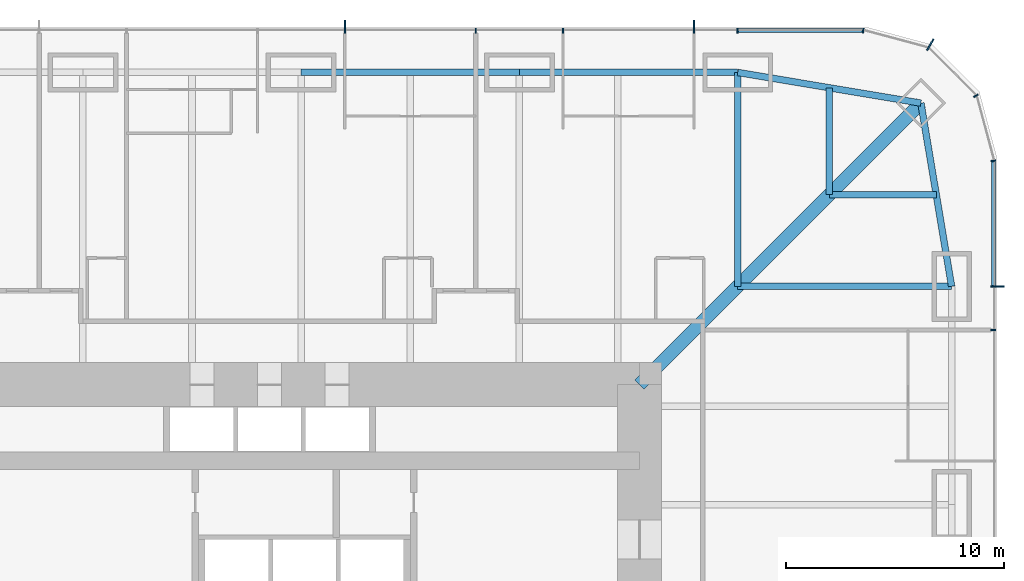
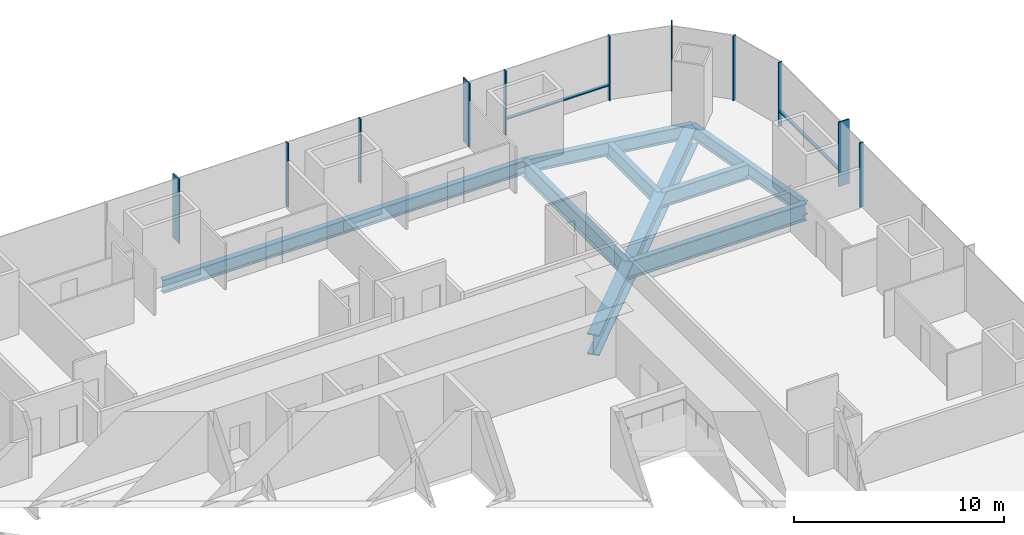
# One storey, part 9 of 17: 13 members, 9 beams, 3 elements without a shape of their own.
"""IFC4 building model written with IfcOpenShell, lengths in metres."""

import ifcopenshell
import ifcopenshell.guid

model = None  # the IFC model being written
_history = None  # IfcOwnerHistory: only IFC2X3 demands one
_inside = {}  # id of a spatial element -> (the spatial element, [elements in it])
_under = {}  # id of a project, library or spatial element -> (it, [spatial elements below it])
_declared = {}  # id of a project -> (the project, [libraries it declares])
_typed = {}  # id of a type object -> (the type object, [elements of that type])
_made_of = {}  # id of a material, layer set ... -> (it, [elements and type objects made of it])


def new_model(schema):
    """Start an empty IFC model of exactly this schema.

    Asked for "IFC4X3", IfcOpenShell would pick the latest addendum, in which some entities
    have other attributes; the version numbers below select the first issue.
    IFC2X3 requires an IfcOwnerHistory on every rooted entity: one is made here for all.
    """
    global model, _history
    if schema == "IFC4X3":
        model = ifcopenshell.file(schema_version=(4, 3, 0, 0))
    else:
        model = ifcopenshell.file(schema=schema)
    _inside.clear()
    _under.clear()
    _declared.clear()
    _typed.clear()
    _made_of.clear()
    _history = None
    if model.schema == "IFC2X3":
        org = make("IfcOrganization", Name="unknown")
        user = make(
            "IfcPersonAndOrganization",
            ThePerson=make("IfcPerson", FamilyName="unknown"),
            TheOrganization=org,
        )
        app = make(
            "IfcApplication",
            ApplicationDeveloper=org,
            Version="unknown",
            ApplicationFullName="unknown",
            ApplicationIdentifier="unknown",
        )
        _history = make(
            "IfcOwnerHistory",
            OwningUser=user,
            OwningApplication=app,
            ChangeAction="ADDED",
            CreationDate=0,
        )
    return model


def make(cls, **values):
    """One entity of the class cls with the attributes given. An attribute that is None is left unset."""
    return model.create_entity(
        cls, **{name: value for name, value in values.items() if value is not None}
    )


def rooted(cls, **values):
    """An entity with a GlobalId (a new one), such as an element, a storey or a relation."""
    return make(cls, GlobalId=ifcopenshell.guid.new(), OwnerHistory=_history, **values)


def si_unit(unit_type, name, prefix=None):
    """IfcSIUnit, for example si_unit("LENGTHUNIT", "METRE", prefix="MILLI")."""
    return make("IfcSIUnit", UnitType=unit_type, Prefix=prefix, Name=name)


def assignment(units):
    """IfcUnitAssignment: the units of a project."""
    return None if units is None else make("IfcUnitAssignment", Units=units)


def point(xyz):
    """IfcCartesianPoint."""
    return None if xyz is None else make("IfcCartesianPoint", Coordinates=xyz)


def direction(xyz):
    """IfcDirection."""
    return None if xyz is None else make("IfcDirection", DirectionRatios=xyz)


def frame(location, z_axis=None, x_axis=None):
    """IfcAxis2Placement3D, a coordinate frame: its origin and axes. An axis left out is left unset."""
    return make(
        "IfcAxis2Placement3D",
        Location=point(location),
        Axis=direction(z_axis),
        RefDirection=direction(x_axis),
    )


def frame_2d(location, x_axis=None):
    """IfcAxis2Placement2D, a coordinate frame in the plane: its origin and x axis."""
    return make(
        "IfcAxis2Placement2D", Location=point(location), RefDirection=direction(x_axis)
    )


def origin():
    """The frame at (0, 0, 0) with its axes left unset."""
    return frame((0.0, 0.0, 0.0))


def origin_2d():
    """The frame at (0, 0) in the plane with its x axis left unset."""
    return frame_2d((0.0, 0.0))


def place(relative_to, where):
    """IfcLocalPlacement: puts the frame where relative to a parent placement (None: the world)."""
    return make(
        "IfcLocalPlacement", PlacementRelTo=relative_to, RelativePlacement=where
    )


def context(
    kind, dimensions, precision=None, world=None, true_north=None, identifier=None
):
    """IfcGeometricRepresentationContext, for example the 3D "Model" context."""
    return make(
        "IfcGeometricRepresentationContext",
        ContextIdentifier=identifier,
        ContextType=kind,
        CoordinateSpaceDimension=dimensions,
        Precision=precision,
        WorldCoordinateSystem=world,
        TrueNorth=true_north,
    )


def subcontext(parent, identifier, kind, view, scale=None):
    """IfcGeometricRepresentationSubContext, for example "Body" below "Model"."""
    return make(
        "IfcGeometricRepresentationSubContext",
        ContextIdentifier=identifier,
        ContextType=kind,
        ParentContext=parent,
        TargetScale=scale,
        TargetView=view,
    )


def project(units=None, contexts=None):
    """IfcProject with its units and contexts."""
    return rooted(
        "IfcProject",
        Name="project",
        RepresentationContexts=contexts,
        UnitsInContext=assignment(units),
    )


def spatial(cls, under=None, at=None, **own):
    """A site, building, storey or space (cls), placed at a placement, below another one or the project."""
    s = rooted(cls, ObjectPlacement=at, **own)
    if under is not None:
        _under.setdefault(under.id(), (under, []))[1].append(s)
    return s


def profile(cls, at=None, kind="AREA", **sizes):
    """A parametric profile (cls). Its sizes go by their IFC names, for example OverallWidth=200.0."""
    return make(cls, ProfileType=kind, Position=at, **sizes)


def rectangle(**sizes):
    """IfcRectangleProfileDef."""
    return profile("IfcRectangleProfileDef", **sizes)


def i_section(**sizes):
    """IfcIShapeProfileDef."""
    return profile("IfcIShapeProfileDef", **sizes)


def extrude(swept, where, along, depth):
    """IfcExtrudedAreaSolid: the profile swept, set in the frame where, extruded along a direction by depth."""
    return make(
        "IfcExtrudedAreaSolid",
        SweptArea=swept,
        Position=where,
        ExtrudedDirection=direction(along),
        Depth=depth,
    )


def shape(context_of_items, identifier, shape_type, items):
    """IfcShapeRepresentation: the items that make up one representation, for example the "Body"."""
    return make(
        "IfcShapeRepresentation",
        ContextOfItems=context_of_items,
        RepresentationIdentifier=identifier,
        RepresentationType=shape_type,
        Items=items,
    )


def material(Name=None, Category=None):
    """IfcMaterial."""
    return make("IfcMaterial", Name=Name, Category=Category)


def material_profile(
    of_material, cross_section, Name=None, Category=None, Priority=None
):
    """IfcMaterialProfile: a cross section and its material."""
    return make(
        "IfcMaterialProfile",
        Name=Name,
        Material=of_material,
        Profile=cross_section,
        Priority=Priority,
        Category=Category,
    )


def profile_set(profiles, Name=None, composite=None):
    """IfcMaterialProfileSet."""
    return make(
        "IfcMaterialProfileSet",
        Name=Name,
        MaterialProfiles=profiles,
        CompositeProfile=composite,
    )


def made_of(thing, what):
    """Note that an element or type object is made of a material, layer set ...; save() writes the relation."""
    if what is not None:
        _made_of.setdefault(what.id(), (what, []))[1].append(thing)
    return thing


def type_object(cls, material=None, **own):
    """A type object (cls), such as IfcWallType, which elements share."""
    return made_of(rooted(cls, **own), material)


def element(
    cls,
    number,
    at=None,
    inside=None,
    cuts=None,
    type_object=None,
    material=None,
    context=None,
    identifier="Body",
    shape_type=None,
    held_by="IfcProductDefinitionShape",
    body=None,
    shapes=None,
    **own,
):
    """One element of the class cls, such as IfcWall. Its Tag is "e" and its number.

    at: its placement. inside: the storey or other place that contains it. cuts: it is an
    opening in that element (IfcRelVoidsElement). A single representation is given by context,
    identifier, shape_type and body (its items); several are given by shapes. held_by: the class
    of the entity that holds the representations. save() writes the other relations.
    """
    e = rooted(cls, Tag="e%d" % number, ObjectPlacement=at, **own)
    if body is not None:
        shapes = [shape(context, identifier, shape_type, body)]
    if shapes is not None:
        e.Representation = make(held_by, Representations=shapes)
    if inside is not None:
        _inside.setdefault(inside.id(), (inside, []))[1].append(e)
    if cuts is not None:
        rooted(
            "IfcRelVoidsElement", RelatingBuildingElement=cuts, RelatedOpeningElement=e
        )
    if type_object is not None:
        _typed.setdefault(type_object.id(), (type_object, []))[1].append(e)
    return made_of(e, material)


def aggregate(whole, parts):
    """IfcRelAggregates: a whole, such as a stair, and the parts it consists of."""
    return rooted("IfcRelAggregates", RelatingObject=whole, RelatedObjects=parts)


def save(model, path):
    """Write the relations noted so far, then the file.

    IfcRelAggregates (storeys below a building ...), IfcRelContainedInSpatialStructure (elements
    in a storey), IfcRelDefinesByType, IfcRelAssociatesMaterial and IfcRelDeclares: one each for
    every whole, place, type object, material and project.
    """
    for whole, parts in _under.values():
        aggregate(whole, parts)
    for where, things in _inside.values():
        rooted(
            "IfcRelContainedInSpatialStructure",
            RelatedElements=things,
            RelatingStructure=where,
        )
    for kind, things in _typed.values():
        rooted("IfcRelDefinesByType", RelatedObjects=things, RelatingType=kind)
    for what, things in _made_of.values():
        rooted("IfcRelAssociatesMaterial", RelatedObjects=things, RelatingMaterial=what)
    for by, libraries in _declared.values():
        rooted("IfcRelDeclares", RelatingContext=by, RelatedDefinitions=libraries)
    model.write(path)


model = new_model("IFC4")

# Units and contexts
model_context = context("Model", 3, precision=1e-05, world=origin(), true_north=direction((0.0, 1.0)))
body_context = subcontext(model_context, "Body", "Model", "MODEL_VIEW")
ifc_project = project(units=[si_unit("LENGTHUNIT", "METRE"), si_unit("AREAUNIT", "SQUARE_METRE"), si_unit("VOLUMEUNIT", "CUBIC_METRE"), si_unit("PLANEANGLEUNIT", "RADIAN"), si_unit("MASSUNIT", "GRAM", prefix="KILO")], contexts=[model_context])

# Site, building, storey
site_placement = place(None, origin())
site = spatial("IfcSite", under=ifc_project, at=site_placement, CompositionType="ELEMENT")
building_placement = place(site_placement, origin())
building = spatial("IfcBuilding", under=site, at=building_placement, Name="Khuree Lantern Residences", CompositionType="ELEMENT")
storey_placement = place(building_placement, frame((0.0, 0.0, 36.0)))
storey = spatial("IfcBuildingStorey", under=building, at=storey_placement, Name="L08", CompositionType="ELEMENT", Elevation=36.0)

# Beams
ifc_material_1 = material(Name="Steel S355", Category="steel")
ifc_material_profile_1 = material_profile(ifc_material_1, i_section(OverallWidth=0.300048828125, OverallDepth=0.889892578125, WebThickness=0.01611328125, FlangeThickness=0.030029296875, FilletRadius=0.030029296875, at=origin_2d()), Name="HE 900 A")
ifc_profile_set_1 = profile_set([ifc_material_profile_1], Name="Steel S355")
beam_type_1 = type_object("IfcBeamType", Name="B-12 SECONDARY BEAM HE 900 A", PredefinedType="BEAM", material=ifc_profile_set_1)
for number, where, z_axis, x_axis, name in (
    (1, (24.197021484375, 29.09716796875, -0.695068359375), (0.0, -1.0, 0.0), (1.0, 0.0, 0.0), "Secondary beam N5"),
    (2, (29.09716796875, 24.197021484375, -0.695068359375), (-1.0, 0.0, 0.0), (0.0, -1.0, 0.0), "Secondary beam E1"),
):
    element("IfcBeam", number, at=place(storey_placement, frame(where, z_axis=z_axis, x_axis=x_axis)), inside=storey, type_object=beam_type_1, Name=name, PredefinedType="BEAM", context=body_context, shape_type="SweptSolid", body=[
        extrude(i_section(OverallWidth=0.300048828125, OverallDepth=0.889892578125, WebThickness=0.01611328125, FlangeThickness=0.030029296875, FilletRadius=0.030029296875, at=origin_2d()), origin(), (0.0, 0.0, 1.0), 4.900146484375),
    ])
ifc_material_profile_2 = material_profile(ifc_material_1, i_section(OverallWidth=0.300048828125, OverallDepth=0.7900390625, WebThickness=0.014892578125, FlangeThickness=0.028076171875, FilletRadius=0.030029296875, at=origin_2d()), Name="HE 800 A")
ifc_profile_set_2 = profile_set([ifc_material_profile_2], Name="Steel S355")
beam_type_2 = type_object("IfcBeamType", Name="E-12 SPANDREL BEAM HE 800 A", PredefinedType="SPANDREL", material=ifc_profile_set_2)
for number, where, z_axis, x_axis, name in (
    (3, (0.0, 29.800048828125, -0.64501953125), (1.0, 0.0, 0.0), (0.0, 1.0, 0.0), "Spandrel beam N3"),
    (4, (10.0, 29.800048828125, -0.64501953125), (1.0, 0.0, 0.0), (0.0, 1.0, 0.0), "Spandrel beam N4"),
):
    element("IfcBeam", number, at=place(storey_placement, frame(where, z_axis=z_axis, x_axis=x_axis)), inside=storey, type_object=beam_type_2, Name=name, PredefinedType="SPANDREL", context=body_context, shape_type="SweptSolid", body=[
        extrude(i_section(OverallWidth=0.300048828125, OverallDepth=0.7900390625, WebThickness=0.014892578125, FlangeThickness=0.028076171875, FilletRadius=0.030029296875, at=origin_2d()), origin(), (0.0, 0.0, 1.0), 10.0),
    ])
for number, where, z_axis, x_axis, name in (
    (5, (20.0, 29.800048828125, -0.64501953125), (0.986260251158, -0.165199022349, 0.0), (0.165199022349, 0.986260251158, 0.0), "Spandrel beam N5"),
    (6, (28.39404296875, 28.39404296875, -0.64501953125), (0.165199022349, -0.986260251158, 0.0), (0.986260251158, 0.165199022349, 0.0), "Spandrel beam E1"),
):
    element("IfcBeam", number, at=place(storey_placement, frame(where, z_axis=z_axis, x_axis=x_axis)), inside=storey, type_object=beam_type_2, Name=name, PredefinedType="SPANDREL", context=body_context, shape_type="SweptSolid", body=[
        extrude(i_section(OverallWidth=0.300048828125, OverallDepth=0.7900390625, WebThickness=0.014892578125, FlangeThickness=0.028076171875, FilletRadius=0.030029296875, at=origin_2d()), origin(), (0.0, 0.0, 1.0), 8.510986328125),
    ])

# Curtain wall, member
ifc_material_2 = material(Name="Bronze anodised aluminium", Category="aluminium")
curtain_wall_type_1 = type_object("IfcCurtainWallType", Name="CW-T1 TOWER FACE CURTAIN WALL", PredefinedType="USERDEFINED", material=ifc_material_2)
curtain_wall_1_placement = place(storey_placement, origin())
curtain_wall_1 = element("IfcCurtainWall", 7, at=curtain_wall_1_placement, inside=storey, type_object=curtain_wall_type_1, Name="L08 EAST FACE CURTAIN WALL", ObjectType="Stick-built curtain wall", PredefinedType="USERDEFINED")
ifc_material_profile_3 = material_profile(ifc_material_2, rectangle(XDim=0.06494140625, YDim=0.60009765625, at=origin_2d()), Name="F1 65X600")
ifc_profile_set_3 = profile_set([ifc_material_profile_3], Name="Bronze anodised aluminium")
member_type_1 = type_object("IfcMemberType", Name="F1 BRONZE FIN MULLION TOWER 65X600", PredefinedType="MULLION", material=ifc_profile_set_3)
member_1_placement = place(storey_placement, frame((31.89990234375, 20.0, 0.0), z_axis=(0.0, 0.0, 1.0), x_axis=(0.0, 1.0, 0.0)))
member_1 = element("IfcMember", 8, at=member_1_placement, type_object=member_type_1, Name="L08 EAST FACE FIN MULLION 14", PredefinedType="MULLION", context=body_context, shape_type="SweptSolid", body=[
    extrude(rectangle(XDim=0.06494140625, YDim=0.60009765625, at=origin_2d()), origin(), (0.0, 0.0, 1.0), 3.75),
])

curtain_wall_type_2 = type_object("IfcCurtainWallType", Name="CW-T2 TOWER CORNER CURTAIN WALL", PredefinedType="USERDEFINED", material=ifc_material_2)
curtain_wall_2_placement = place(storey_placement, origin())
curtain_wall_2 = element("IfcCurtainWall", 9, at=curtain_wall_2_placement, inside=storey, type_object=curtain_wall_type_2, Name="L08 NORTH-EAST CORNER CURTAIN WALL", ObjectType="Faceted corner curtain wall", PredefinedType="USERDEFINED")
member_2_placement = place(storey_placement, frame((28.824951171875, 31.076171875, 0.0), z_axis=(0.0, 0.0, 1.0), x_axis=(-0.86602537092, 0.500000056923, 0.0)))
member_2 = element("IfcMember", 10, at=member_2_placement, type_object=member_type_1, Name="L08 NORTH-EAST CORNER FIN MULLION 17", PredefinedType="MULLION", context=body_context, shape_type="SweptSolid", body=[
    extrude(rectangle(XDim=0.06494140625, YDim=0.60009765625, at=origin_2d()), origin(), (0.0, 0.0, 1.0), 3.75),
])

# Curtain wall, members
curtain_wall_3_placement = place(storey_placement, origin())
curtain_wall_3 = element("IfcCurtainWall", 11, at=curtain_wall_3_placement, inside=storey, type_object=curtain_wall_type_1, Name="L08 NORTH FACE CURTAIN WALL", ObjectType="Stick-built curtain wall", PredefinedType="USERDEFINED")
member_3_placement = place(storey_placement, frame((18.0, 31.89990234375, 0.0), z_axis=(0.0, 0.0, 1.0), x_axis=(-1.0, 0.0, 0.0)))
member_3 = element("IfcMember", 12, at=member_3_placement, type_object=member_type_1, Name="L08 NORTH FACE FIN MULLION 20", PredefinedType="MULLION", context=body_context, shape_type="SweptSolid", body=[
    extrude(rectangle(XDim=0.06494140625, YDim=0.60009765625, at=origin_2d()), origin(), (0.0, 0.0, 1.0), 3.75),
])
member_4_placement = place(storey_placement, frame((2.0, 31.89990234375, 0.0), z_axis=(0.0, 0.0, 1.0), x_axis=(-1.0, 0.0, 0.0)))
member_4 = element("IfcMember", 13, at=member_4_placement, type_object=member_type_1, Name="L08 NORTH FACE FIN MULLION 23", PredefinedType="MULLION", context=body_context, shape_type="SweptSolid", body=[
    extrude(rectangle(XDim=0.06494140625, YDim=0.60009765625, at=origin_2d()), origin(), (0.0, 0.0, 1.0), 3.75),
])

# Beams
ifc_material_profile_4 = material_profile(ifc_material_1, i_section(OverallWidth=0.302001953125, OverallDepth=1.008056640625, WebThickness=0.02099609375, FlangeThickness=0.0400390625, FilletRadius=0.030029296875, at=origin_2d()), Name="HE 1000 M")
ifc_profile_set_4 = profile_set([ifc_material_profile_4], Name="Steel S355")
beam_type_3 = type_object("IfcBeamType", Name="G-12 GIRDER HE 1000 M", PredefinedType="BEAM", material=ifc_profile_set_4)
for number, where, z_axis, x_axis, name in (
    (14, (20.0, 29.800048828125, -0.75390625), (0.0, -1.0, 0.0), (1.0, 0.0, 0.0), "Girder N5"),
    (15, (29.800048828125, 20.0, -0.75390625), (-1.0, 0.0, 0.0), (0.0, -1.0, 0.0), "Girder E1"),
):
    element("IfcBeam", number, at=place(storey_placement, frame(where, z_axis=z_axis, x_axis=x_axis)), inside=storey, type_object=beam_type_3, Name=name, PredefinedType="BEAM", context=body_context, shape_type="SweptSolid", body=[
        extrude(i_section(OverallWidth=0.302001953125, OverallDepth=1.008056640625, WebThickness=0.02099609375, FlangeThickness=0.0400390625, FilletRadius=0.030029296875, at=origin_2d()), origin(), (0.0, 0.0, 1.0), 9.800048828125),
    ])
ifc_material_profile_5 = material_profile(ifc_material_1, i_section(OverallWidth=0.60009765625, OverallDepth=1.199951171875, WebThickness=0.030029296875, FlangeThickness=0.06005859375, at=origin_2d()), Name="WELDED I 1200X600X30X60")
ifc_profile_set_5 = profile_set([ifc_material_profile_5], Name="Steel S355")
beam_type_4 = type_object("IfcBeamType", Name="GD-12 CORNER GIRDER WELDED I 1200X600X30X60", PredefinedType="BEAM", material=ifc_profile_set_5)
beam_placement = place(storey_placement, frame((28.39404296875, 28.39404296875, -0.85009765625), z_axis=(-0.707106781187, -0.707106781187, 0.0), x_axis=(0.707106781187, -0.707106781187, 0.0)))
element("IfcBeam", 16, at=beam_placement, inside=storey, type_object=beam_type_4, Name="Corner girder NE", PredefinedType="BEAM", context=body_context, shape_type="SweptSolid", body=[
    extrude(i_section(OverallWidth=0.60009765625, OverallDepth=1.199951171875, WebThickness=0.030029296875, FlangeThickness=0.06005859375, at=origin_2d()), origin(), (0.0, 0.0, 1.0), 18.23486328125),
])

# Member
ifc_material_profile_6 = material_profile(ifc_material_2, rectangle(XDim=0.06494140625, YDim=0.219970703125, at=origin_2d()), Name="M1 65X220")
ifc_profile_set_6 = profile_set([ifc_material_profile_6], Name="Bronze anodised aluminium")
member_type_2 = type_object("IfcMemberType", Name="M1 BRONZE MULLION TOWER 65X220", PredefinedType="MULLION", material=ifc_profile_set_6)
member_5_placement = place(storey_placement, frame((31.7099609375, 18.0, 0.0), z_axis=(0.0, 0.0, 1.0), x_axis=(0.0, 1.0, 0.0)))
member_5 = element("IfcMember", 17, at=member_5_placement, type_object=member_type_2, Name="L08 EAST FACE MULLION 13", PredefinedType="MULLION", context=body_context, shape_type="SweptSolid", body=[
    extrude(rectangle(XDim=0.06494140625, YDim=0.219970703125, at=origin_2d()), origin(), (0.0, 0.0, 1.0), 3.75),
])

member_6_placement = place(storey_placement, frame((31.711669921875, 25.744873046875, 0.0), z_axis=(0.0, 0.0, 1.0), x_axis=(-0.130526257387, 0.991444852794, 0.0)))
member_6 = element("IfcMember", 18, at=member_6_placement, type_object=member_type_2, Name="L08 NORTH-EAST CORNER MULLION 15", PredefinedType="MULLION", context=body_context, shape_type="SweptSolid", body=[
    extrude(rectangle(XDim=0.06494140625, YDim=0.219970703125, at=origin_2d()), origin(), (0.0, 0.0, 1.0), 3.75),
])

member_7_placement = place(storey_placement, frame((30.91162109375, 28.72998046875, 0.0), z_axis=(0.0, 0.0, 1.0), x_axis=(-0.500000056923, 0.86602537092, 0.0)))
member_7 = element("IfcMember", 19, at=member_7_placement, type_object=member_type_2, Name="L08 NORTH-EAST CORNER MULLION 16", PredefinedType="MULLION", context=body_context, shape_type="SweptSolid", body=[
    extrude(rectangle(XDim=0.06494140625, YDim=0.219970703125, at=origin_2d()), origin(), (0.0, 0.0, 1.0), 3.75),
])

aggregate(curtain_wall_2, [member_6, member_7, member_2])

member_8_placement = place(storey_placement, frame((25.744873046875, 31.711669921875, 0.0), z_axis=(0.0, 0.0, 1.0), x_axis=(-0.991444852794, 0.130526257387, 0.0)))
member_8 = element("IfcMember", 20, at=member_8_placement, type_object=member_type_2, Name="L08 NORTH FACE MULLION 18", PredefinedType="MULLION", context=body_context, shape_type="SweptSolid", body=[
    extrude(rectangle(XDim=0.06494140625, YDim=0.219970703125, at=origin_2d()), origin(), (0.0, 0.0, 1.0), 3.75),
])

member_9_placement = place(storey_placement, frame((20.0, 31.7099609375, 0.0), z_axis=(0.0, 0.0, 1.0), x_axis=(-1.0, 0.0, 0.0)))
member_9 = element("IfcMember", 21, at=member_9_placement, type_object=member_type_2, Name="L08 NORTH FACE MULLION 19", PredefinedType="MULLION", context=body_context, shape_type="SweptSolid", body=[
    extrude(rectangle(XDim=0.06494140625, YDim=0.219970703125, at=origin_2d()), origin(), (0.0, 0.0, 1.0), 3.75),
])

member_10_placement = place(storey_placement, frame((12.0, 31.7099609375, 0.0), z_axis=(0.0, 0.0, 1.0), x_axis=(-1.0, 0.0, 0.0)))
member_10 = element("IfcMember", 22, at=member_10_placement, type_object=member_type_2, Name="L08 NORTH FACE MULLION 21", PredefinedType="MULLION", context=body_context, shape_type="SweptSolid", body=[
    extrude(rectangle(XDim=0.06494140625, YDim=0.219970703125, at=origin_2d()), origin(), (0.0, 0.0, 1.0), 3.75),
])

member_11_placement = place(storey_placement, frame((8.0, 31.7099609375, 0.0), z_axis=(0.0, 0.0, 1.0), x_axis=(-1.0, 0.0, 0.0)))
member_11 = element("IfcMember", 23, at=member_11_placement, type_object=member_type_2, Name="L08 NORTH FACE MULLION 22", PredefinedType="MULLION", context=body_context, shape_type="SweptSolid", body=[
    extrude(rectangle(XDim=0.06494140625, YDim=0.219970703125, at=origin_2d()), origin(), (0.0, 0.0, 1.0), 3.75),
])

ifc_material_profile_7 = material_profile(ifc_material_2, rectangle(XDim=0.179931640625, YDim=0.06494140625, at=origin_2d()), Name="T1 180X65")
ifc_profile_set_7 = profile_set([ifc_material_profile_7], Name="Bronze anodised aluminium")
member_type_3 = type_object("IfcMemberType", Name="TRANSOM T1 TOWER 180X65", PredefinedType="USERDEFINED", material=ifc_profile_set_7)
member_12_placement = place(storey_placement, frame((31.719970703125, 20.032470703125, 0.89990234375), z_axis=(0.0, 1.0, 0.0), x_axis=(-1.0, 0.0, 0.0)))
member_12 = element("IfcMember", 24, at=member_12_placement, type_object=member_type_3, Name="L08 EAST FACE TRANSOM 14.1", ObjectType="Transom", PredefinedType="USERDEFINED", context=body_context, shape_type="SweptSolid", body=[
    extrude(rectangle(XDim=0.179931640625, YDim=0.06494140625, at=origin_2d()), origin(), (0.0, 0.0, 1.0), 5.6689453125),
])

aggregate(curtain_wall_1, [member_5, member_1, member_12])

member_13_placement = place(storey_placement, frame((25.701416015625, 31.719970703125, 0.89990234375), z_axis=(-1.0, 0.0, 0.0), x_axis=(0.0, -1.0, 0.0)))
member_13 = element("IfcMember", 25, at=member_13_placement, type_object=member_type_3, Name="L08 NORTH FACE TRANSOM 18.1", ObjectType="Transom", PredefinedType="USERDEFINED", context=body_context, shape_type="SweptSolid", body=[
    extrude(rectangle(XDim=0.179931640625, YDim=0.06494140625, at=origin_2d()), origin(), (0.0, 0.0, 1.0), 5.6689453125),
])

aggregate(curtain_wall_3, [member_8, member_9, member_3, member_10, member_11, member_4, member_13])

save(model, "model.ifc")
